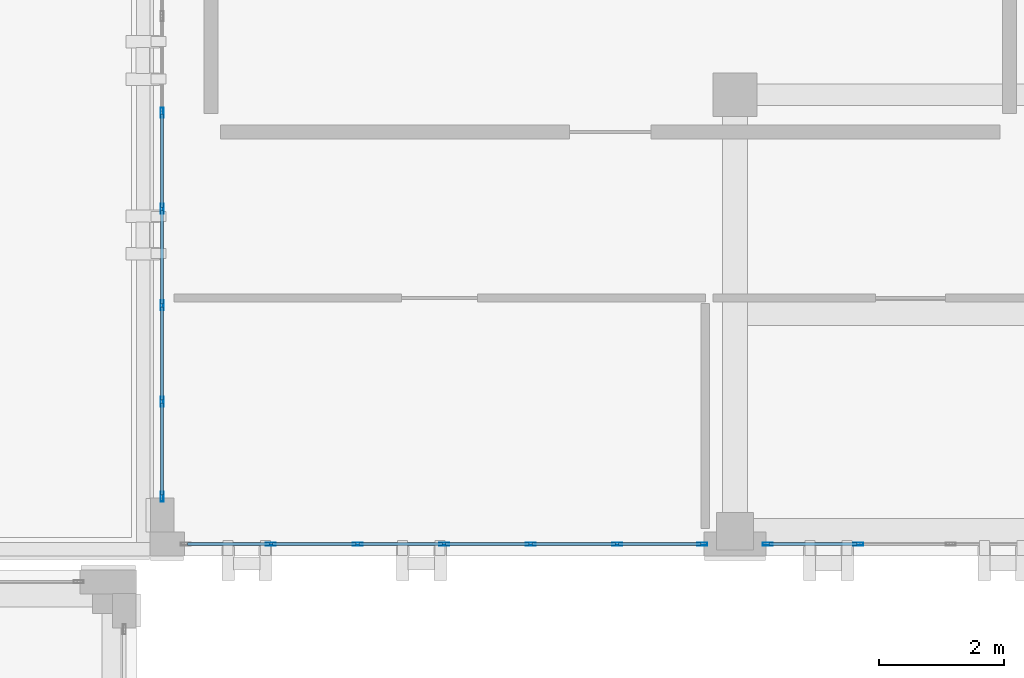
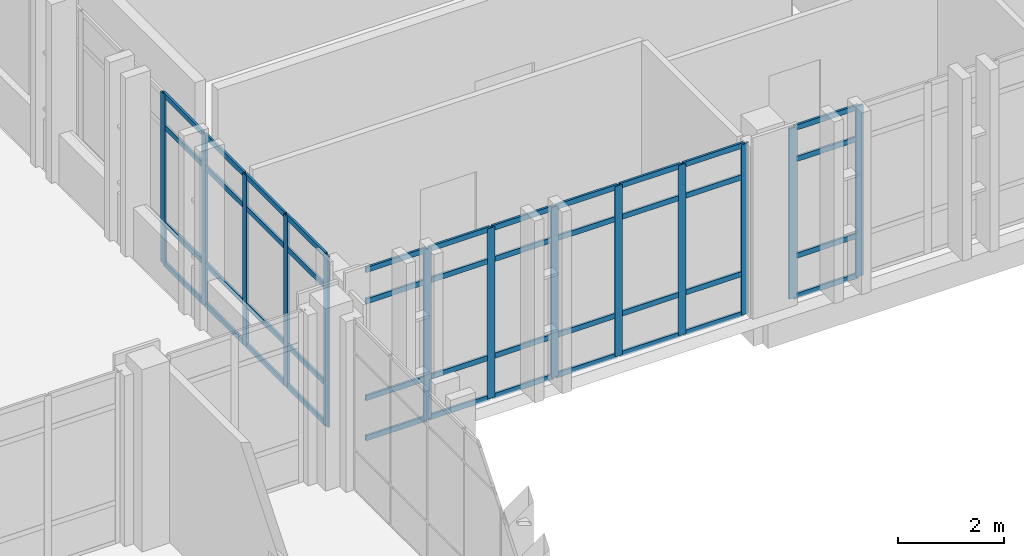
# One storey, part 39 of 90: 57 members, 3 elements without a shape of their own.
"""IFC4 building model written with IfcOpenShell, lengths in metres."""

from ifc_helpers import new_model, si_unit, direction, frame, origin, origin_2d, place, context, subcontext, project, spatial, hollow_rectangle, extrude, material, layer, layer_set, material_profile, profile_set, type_object, element, aggregate, save


model = new_model("IFC4")

# Units and contexts
model_context = context("Model", 3, precision=1e-05, world=origin(), true_north=direction((0.0, 1.0)))
body_context = subcontext(model_context, "Body", "Model", "MODEL_VIEW")
ifc_project = project(units=[si_unit("LENGTHUNIT", "METRE"), si_unit("AREAUNIT", "SQUARE_METRE"), si_unit("VOLUMEUNIT", "CUBIC_METRE"), si_unit("PLANEANGLEUNIT", "RADIAN"), si_unit("MASSUNIT", "GRAM", prefix="KILO")], contexts=[model_context])

# Site, building, storey
site_placement = place(None, origin())
site = spatial("IfcSite", under=ifc_project, at=site_placement, CompositionType="ELEMENT")
building_placement = place(site_placement, origin())
building = spatial("IfcBuilding", under=site, at=building_placement, Name="Qalavern Law Courts", CompositionType="ELEMENT")
storey_placement = place(building_placement, frame((0.0, 0.0, 22.800048828125)))
storey = spatial("IfcBuildingStorey", under=building, at=storey_placement, Name="L05", CompositionType="ELEMENT", Elevation=22.800048828125)

# Curtain wall, members
ifc_material_1 = material(Name="Anodised aluminium and insulated glazing", Category="aluminium")
ifc_layer = layer(ifc_material_1, 0.166015625)
ifc_layer_set = layer_set([ifc_layer], Name="Anodised aluminium and insulated glazing")
curtain_wall_type = type_object("IfcCurtainWallType", Name="ENV-CW-LIB", PredefinedType="USERDEFINED", material=ifc_layer_set)
curtain_wall_1_placement = place(storey_placement, origin())
curtain_wall_1 = element("IfcCurtainWall", 1, at=curtain_wall_1_placement, inside=storey, type_object=curtain_wall_type, Name="V5 unitised curtain wall L05 south 1", ObjectType="UNITISED CURTAIN WALL", PredefinedType="USERDEFINED")
ifc_material_2 = material(Name="Anodised aluminium", Category="aluminium")
ifc_material_profile_1 = material_profile(ifc_material_2, hollow_rectangle(XDim=0.048095703125, YDim=0.159912109375, WallThickness=0.00390625, at=origin_2d()), Name="ALU MULLION 48x160")
ifc_profile_set_1 = profile_set([ifc_material_profile_1], Name="Anodised aluminium")
member_type_1 = type_object("IfcMemberType", Name="ENV-CWM-48x160", PredefinedType="MULLION", material=ifc_profile_set_1)
member_1_placement = place(storey_placement, frame((20.958251953125, 96.392578125, 0.0), z_axis=(0.0, 0.0, 1.0), x_axis=(0.0, 1.0, 0.0)))
member_1 = element("IfcMember", 2, at=member_1_placement, type_object=member_type_1, Name="CW-05 mullion 2", PredefinedType="MULLION", context=body_context, shape_type="SweptSolid", body=[
    extrude(hollow_rectangle(XDim=0.048095703125, YDim=0.159912109375, WallThickness=0.00390625, at=origin_2d()), origin(), (0.0, 0.0, 1.0), 3.929931640625),
])
member_2_placement = place(storey_placement, frame((22.3466796875, 96.392578125, 0.0), z_axis=(0.0, 0.0, 1.0), x_axis=(0.0, 1.0, 0.0)))
member_2 = element("IfcMember", 3, at=member_2_placement, type_object=member_type_1, Name="CW-05 mullion 3", PredefinedType="MULLION", context=body_context, shape_type="SweptSolid", body=[
    extrude(hollow_rectangle(XDim=0.048095703125, YDim=0.159912109375, WallThickness=0.00390625, at=origin_2d()), origin(), (0.0, 0.0, 1.0), 3.929931640625),
])
member_3_placement = place(storey_placement, frame((23.735107421875, 96.392578125, 0.0), z_axis=(0.0, 0.0, 1.0), x_axis=(0.0, 1.0, 0.0)))
member_3 = element("IfcMember", 4, at=member_3_placement, type_object=member_type_1, Name="CW-05 mullion 4", PredefinedType="MULLION", context=body_context, shape_type="SweptSolid", body=[
    extrude(hollow_rectangle(XDim=0.048095703125, YDim=0.159912109375, WallThickness=0.00390625, at=origin_2d()), origin(), (0.0, 0.0, 1.0), 3.929931640625),
])
member_4_placement = place(storey_placement, frame((25.123291015625, 96.392578125, 0.0), z_axis=(0.0, 0.0, 1.0), x_axis=(0.0, 1.0, 0.0)))
member_4 = element("IfcMember", 5, at=member_4_placement, type_object=member_type_1, Name="CW-05 mullion 5", PredefinedType="MULLION", context=body_context, shape_type="SweptSolid", body=[
    extrude(hollow_rectangle(XDim=0.048095703125, YDim=0.159912109375, WallThickness=0.00390625, at=origin_2d()), origin(), (0.0, 0.0, 1.0), 3.929931640625),
])
member_5_placement = place(storey_placement, frame((26.51171875, 96.392578125, 0.0), z_axis=(0.0, 0.0, 1.0), x_axis=(0.0, 1.0, 0.0)))
member_5 = element("IfcMember", 6, at=member_5_placement, type_object=member_type_1, Name="CW-05 mullion 6", PredefinedType="MULLION", context=body_context, shape_type="SweptSolid", body=[
    extrude(hollow_rectangle(XDim=0.048095703125, YDim=0.159912109375, WallThickness=0.00390625, at=origin_2d()), origin(), (0.0, 0.0, 1.0), 3.929931640625),
])
member_6_placement = place(storey_placement, frame((27.8759765625, 96.392578125, 0.0), z_axis=(0.0, 0.0, 1.0), x_axis=(0.0, 1.0, 0.0)))
member_6 = element("IfcMember", 7, at=member_6_placement, type_object=member_type_1, Name="CW-05 mullion 7", PredefinedType="MULLION", context=body_context, shape_type="SweptSolid", body=[
    extrude(hollow_rectangle(XDim=0.048095703125, YDim=0.159912109375, WallThickness=0.00390625, at=origin_2d()), origin(), (0.0, 0.0, 1.0), 3.929931640625),
])

curtain_wall_2_placement = place(storey_placement, origin())
curtain_wall_2 = element("IfcCurtainWall", 8, at=curtain_wall_2_placement, inside=storey, type_object=curtain_wall_type, Name="V5 unitised curtain wall L05 south 2", ObjectType="UNITISED CURTAIN WALL", PredefinedType="USERDEFINED")
member_7_placement = place(storey_placement, frame((28.924072265625, 96.392578125, 0.0), z_axis=(0.0, 0.0, 1.0), x_axis=(0.0, 1.0, 0.0)))
member_7 = element("IfcMember", 9, at=member_7_placement, type_object=member_type_1, Name="CW-05 mullion 1", PredefinedType="MULLION", context=body_context, shape_type="SweptSolid", body=[
    extrude(hollow_rectangle(XDim=0.048095703125, YDim=0.159912109375, WallThickness=0.00390625, at=origin_2d()), origin(), (0.0, 0.0, 1.0), 3.929931640625),
])
member_8_placement = place(storey_placement, frame((30.3798828125, 96.392578125, 0.0), z_axis=(0.0, 0.0, 1.0), x_axis=(0.0, 1.0, 0.0)))
member_8 = element("IfcMember", 10, at=member_8_placement, type_object=member_type_1, Name="CW-05 mullion 2", PredefinedType="MULLION", context=body_context, shape_type="SweptSolid", body=[
    extrude(hollow_rectangle(XDim=0.048095703125, YDim=0.159912109375, WallThickness=0.00390625, at=origin_2d()), origin(), (0.0, 0.0, 1.0), 3.929931640625),
])

curtain_wall_3_placement = place(storey_placement, origin())
curtain_wall_3 = element("IfcCurtainWall", 11, at=curtain_wall_3_placement, inside=storey, type_object=curtain_wall_type, Name="V5 unitised curtain wall L05 west 1", ObjectType="UNITISED CURTAIN WALL", PredefinedType="USERDEFINED")
member_9_placement = place(storey_placement, frame((19.21240234375, 103.312744140625, 0.0), z_axis=(0.0, 0.0, 1.0), x_axis=(1.0, 0.0, 0.0)))
member_9 = element("IfcMember", 12, at=member_9_placement, type_object=member_type_1, Name="CW-05 mullion 4", PredefinedType="MULLION", context=body_context, shape_type="SweptSolid", body=[
    extrude(hollow_rectangle(XDim=0.048095703125, YDim=0.159912109375, WallThickness=0.00390625, at=origin_2d()), origin(), (0.0, 0.0, 1.0), 3.929931640625),
])
member_10_placement = place(storey_placement, frame((19.21240234375, 101.76708984375, 0.0), z_axis=(0.0, 0.0, 1.0), x_axis=(1.0, 0.0, 0.0)))
member_10 = element("IfcMember", 13, at=member_10_placement, type_object=member_type_1, Name="CW-05 mullion 5", PredefinedType="MULLION", context=body_context, shape_type="SweptSolid", body=[
    extrude(hollow_rectangle(XDim=0.048095703125, YDim=0.159912109375, WallThickness=0.00390625, at=origin_2d()), origin(), (0.0, 0.0, 1.0), 3.929931640625),
])
member_11_placement = place(storey_placement, frame((19.21240234375, 100.221435546875, 0.0), z_axis=(0.0, 0.0, 1.0), x_axis=(1.0, 0.0, 0.0)))
member_11 = element("IfcMember", 14, at=member_11_placement, type_object=member_type_1, Name="CW-05 mullion 6", PredefinedType="MULLION", context=body_context, shape_type="SweptSolid", body=[
    extrude(hollow_rectangle(XDim=0.048095703125, YDim=0.159912109375, WallThickness=0.00390625, at=origin_2d()), origin(), (0.0, 0.0, 1.0), 3.929931640625),
])
member_12_placement = place(storey_placement, frame((19.21240234375, 98.67578125, 0.0), z_axis=(0.0, 0.0, 1.0), x_axis=(1.0, 0.0, 0.0)))
member_12 = element("IfcMember", 15, at=member_12_placement, type_object=member_type_1, Name="CW-05 mullion 7", PredefinedType="MULLION", context=body_context, shape_type="SweptSolid", body=[
    extrude(hollow_rectangle(XDim=0.048095703125, YDim=0.159912109375, WallThickness=0.00390625, at=origin_2d()), origin(), (0.0, 0.0, 1.0), 3.929931640625),
])
member_13_placement = place(storey_placement, frame((19.21240234375, 97.154052734375, 0.0), z_axis=(0.0, 0.0, 1.0), x_axis=(1.0, 0.0, 0.0)))
member_13 = element("IfcMember", 16, at=member_13_placement, type_object=member_type_1, Name="CW-05 mullion 8", PredefinedType="MULLION", context=body_context, shape_type="SweptSolid", body=[
    extrude(hollow_rectangle(XDim=0.048095703125, YDim=0.159912109375, WallThickness=0.00390625, at=origin_2d()), origin(), (0.0, 0.0, 1.0), 3.929931640625),
])

# Member
ifc_material_profile_2 = material_profile(ifc_material_2, hollow_rectangle(XDim=0.048095703125, YDim=0.1201171875, WallThickness=0.00390625, at=origin_2d()), Name="ALU TRANSOM 48x120")
ifc_profile_set_2 = profile_set([ifc_material_profile_2], Name="Anodised aluminium")
member_type_2 = type_object("IfcMemberType", Name="ENV-CWT-48x120", PredefinedType="USERDEFINED", material=ifc_profile_set_2)
member_14_placement = place(storey_placement, frame((19.617919921875, 96.392578125, 0.02392578125), z_axis=(1.0, 0.0, 0.0), x_axis=(0.0, 1.0, 0.0)))
member_14 = element("IfcMember", 17, at=member_14_placement, type_object=member_type_2, Name="CW-05 transom 1.1", ObjectType="TRANSOM", PredefinedType="USERDEFINED", context=body_context, shape_type="SweptSolid", body=[
    extrude(hollow_rectangle(XDim=0.048095703125, YDim=0.1201171875, WallThickness=0.00390625, at=origin_2d()), origin(), (0.0, 0.0, 1.0), 1.31640625),
])

member_15_placement = place(storey_placement, frame((19.617919921875, 96.392578125, 0.949951171875), z_axis=(1.0, 0.0, 0.0), x_axis=(0.0, 1.0, 0.0)))
member_15 = element("IfcMember", 18, at=member_15_placement, type_object=member_type_2, Name="CW-05 transom 1.2", ObjectType="TRANSOM", PredefinedType="USERDEFINED", context=body_context, shape_type="SweptSolid", body=[
    extrude(hollow_rectangle(XDim=0.048095703125, YDim=0.1201171875, WallThickness=0.00390625, at=origin_2d()), origin(), (0.0, 0.0, 1.0), 1.31640625),
])

member_16_placement = place(storey_placement, frame((19.617919921875, 96.392578125, 3.179931640625), z_axis=(1.0, 0.0, 0.0), x_axis=(0.0, 1.0, 0.0)))
member_16 = element("IfcMember", 19, at=member_16_placement, type_object=member_type_2, Name="CW-05 transom 1.3", ObjectType="TRANSOM", PredefinedType="USERDEFINED", context=body_context, shape_type="SweptSolid", body=[
    extrude(hollow_rectangle(XDim=0.048095703125, YDim=0.1201171875, WallThickness=0.00390625, at=origin_2d()), origin(), (0.0, 0.0, 1.0), 1.31640625),
])

member_17_placement = place(storey_placement, frame((19.617919921875, 96.392578125, 3.906005859375), z_axis=(1.0, 0.0, 0.0), x_axis=(0.0, 1.0, 0.0)))
member_17 = element("IfcMember", 20, at=member_17_placement, type_object=member_type_2, Name="CW-05 transom 1.4", ObjectType="TRANSOM", PredefinedType="USERDEFINED", context=body_context, shape_type="SweptSolid", body=[
    extrude(hollow_rectangle(XDim=0.048095703125, YDim=0.1201171875, WallThickness=0.00390625, at=origin_2d()), origin(), (0.0, 0.0, 1.0), 1.31640625),
])

member_18_placement = place(storey_placement, frame((20.982421875, 96.392578125, 0.02392578125), z_axis=(1.0, 0.0, 0.0), x_axis=(0.0, 1.0, 0.0)))
member_18 = element("IfcMember", 21, at=member_18_placement, type_object=member_type_2, Name="CW-05 transom 2.1", ObjectType="TRANSOM", PredefinedType="USERDEFINED", context=body_context, shape_type="SweptSolid", body=[
    extrude(hollow_rectangle(XDim=0.048095703125, YDim=0.1201171875, WallThickness=0.00390625, at=origin_2d()), origin(), (0.0, 0.0, 1.0), 1.34033203125),
])

member_19_placement = place(storey_placement, frame((20.982421875, 96.392578125, 0.949951171875), z_axis=(1.0, 0.0, 0.0), x_axis=(0.0, 1.0, 0.0)))
member_19 = element("IfcMember", 22, at=member_19_placement, type_object=member_type_2, Name="CW-05 transom 2.2", ObjectType="TRANSOM", PredefinedType="USERDEFINED", context=body_context, shape_type="SweptSolid", body=[
    extrude(hollow_rectangle(XDim=0.048095703125, YDim=0.1201171875, WallThickness=0.00390625, at=origin_2d()), origin(), (0.0, 0.0, 1.0), 1.34033203125),
])

member_20_placement = place(storey_placement, frame((20.982421875, 96.392578125, 3.179931640625), z_axis=(1.0, 0.0, 0.0), x_axis=(0.0, 1.0, 0.0)))
member_20 = element("IfcMember", 23, at=member_20_placement, type_object=member_type_2, Name="CW-05 transom 2.3", ObjectType="TRANSOM", PredefinedType="USERDEFINED", context=body_context, shape_type="SweptSolid", body=[
    extrude(hollow_rectangle(XDim=0.048095703125, YDim=0.1201171875, WallThickness=0.00390625, at=origin_2d()), origin(), (0.0, 0.0, 1.0), 1.34033203125),
])

member_21_placement = place(storey_placement, frame((20.982421875, 96.392578125, 3.906005859375), z_axis=(1.0, 0.0, 0.0), x_axis=(0.0, 1.0, 0.0)))
member_21 = element("IfcMember", 24, at=member_21_placement, type_object=member_type_2, Name="CW-05 transom 2.4", ObjectType="TRANSOM", PredefinedType="USERDEFINED", context=body_context, shape_type="SweptSolid", body=[
    extrude(hollow_rectangle(XDim=0.048095703125, YDim=0.1201171875, WallThickness=0.00390625, at=origin_2d()), origin(), (0.0, 0.0, 1.0), 1.34033203125),
])

member_22_placement = place(storey_placement, frame((22.37060546875, 96.392578125, 0.02392578125), z_axis=(1.0, 0.0, 0.0), x_axis=(0.0, 1.0, 0.0)))
member_22 = element("IfcMember", 25, at=member_22_placement, type_object=member_type_2, Name="CW-05 transom 3.1", ObjectType="TRANSOM", PredefinedType="USERDEFINED", context=body_context, shape_type="SweptSolid", body=[
    extrude(hollow_rectangle(XDim=0.048095703125, YDim=0.1201171875, WallThickness=0.00390625, at=origin_2d()), origin(), (0.0, 0.0, 1.0), 1.34033203125),
])

member_23_placement = place(storey_placement, frame((22.37060546875, 96.392578125, 0.949951171875), z_axis=(1.0, 0.0, 0.0), x_axis=(0.0, 1.0, 0.0)))
member_23 = element("IfcMember", 26, at=member_23_placement, type_object=member_type_2, Name="CW-05 transom 3.2", ObjectType="TRANSOM", PredefinedType="USERDEFINED", context=body_context, shape_type="SweptSolid", body=[
    extrude(hollow_rectangle(XDim=0.048095703125, YDim=0.1201171875, WallThickness=0.00390625, at=origin_2d()), origin(), (0.0, 0.0, 1.0), 1.34033203125),
])

member_24_placement = place(storey_placement, frame((22.37060546875, 96.392578125, 3.179931640625), z_axis=(1.0, 0.0, 0.0), x_axis=(0.0, 1.0, 0.0)))
member_24 = element("IfcMember", 27, at=member_24_placement, type_object=member_type_2, Name="CW-05 transom 3.3", ObjectType="TRANSOM", PredefinedType="USERDEFINED", context=body_context, shape_type="SweptSolid", body=[
    extrude(hollow_rectangle(XDim=0.048095703125, YDim=0.1201171875, WallThickness=0.00390625, at=origin_2d()), origin(), (0.0, 0.0, 1.0), 1.34033203125),
])

member_25_placement = place(storey_placement, frame((22.37060546875, 96.392578125, 3.906005859375), z_axis=(1.0, 0.0, 0.0), x_axis=(0.0, 1.0, 0.0)))
member_25 = element("IfcMember", 28, at=member_25_placement, type_object=member_type_2, Name="CW-05 transom 3.4", ObjectType="TRANSOM", PredefinedType="USERDEFINED", context=body_context, shape_type="SweptSolid", body=[
    extrude(hollow_rectangle(XDim=0.048095703125, YDim=0.1201171875, WallThickness=0.00390625, at=origin_2d()), origin(), (0.0, 0.0, 1.0), 1.34033203125),
])

member_26_placement = place(storey_placement, frame((23.759033203125, 96.392578125, 0.02392578125), z_axis=(1.0, 0.0, 0.0), x_axis=(0.0, 1.0, 0.0)))
member_26 = element("IfcMember", 29, at=member_26_placement, type_object=member_type_2, Name="CW-05 transom 4.1", ObjectType="TRANSOM", PredefinedType="USERDEFINED", context=body_context, shape_type="SweptSolid", body=[
    extrude(hollow_rectangle(XDim=0.048095703125, YDim=0.1201171875, WallThickness=0.00390625, at=origin_2d()), origin(), (0.0, 0.0, 1.0), 1.34033203125),
])

member_27_placement = place(storey_placement, frame((23.759033203125, 96.392578125, 0.949951171875), z_axis=(1.0, 0.0, 0.0), x_axis=(0.0, 1.0, 0.0)))
member_27 = element("IfcMember", 30, at=member_27_placement, type_object=member_type_2, Name="CW-05 transom 4.2", ObjectType="TRANSOM", PredefinedType="USERDEFINED", context=body_context, shape_type="SweptSolid", body=[
    extrude(hollow_rectangle(XDim=0.048095703125, YDim=0.1201171875, WallThickness=0.00390625, at=origin_2d()), origin(), (0.0, 0.0, 1.0), 1.34033203125),
])

member_28_placement = place(storey_placement, frame((23.759033203125, 96.392578125, 3.179931640625), z_axis=(1.0, 0.0, 0.0), x_axis=(0.0, 1.0, 0.0)))
member_28 = element("IfcMember", 31, at=member_28_placement, type_object=member_type_2, Name="CW-05 transom 4.3", ObjectType="TRANSOM", PredefinedType="USERDEFINED", context=body_context, shape_type="SweptSolid", body=[
    extrude(hollow_rectangle(XDim=0.048095703125, YDim=0.1201171875, WallThickness=0.00390625, at=origin_2d()), origin(), (0.0, 0.0, 1.0), 1.34033203125),
])

member_29_placement = place(storey_placement, frame((23.759033203125, 96.392578125, 3.906005859375), z_axis=(1.0, 0.0, 0.0), x_axis=(0.0, 1.0, 0.0)))
member_29 = element("IfcMember", 32, at=member_29_placement, type_object=member_type_2, Name="CW-05 transom 4.4", ObjectType="TRANSOM", PredefinedType="USERDEFINED", context=body_context, shape_type="SweptSolid", body=[
    extrude(hollow_rectangle(XDim=0.048095703125, YDim=0.1201171875, WallThickness=0.00390625, at=origin_2d()), origin(), (0.0, 0.0, 1.0), 1.34033203125),
])

member_30_placement = place(storey_placement, frame((25.147216796875, 96.392578125, 0.02392578125), z_axis=(1.0, 0.0, 0.0), x_axis=(0.0, 1.0, 0.0)))
member_30 = element("IfcMember", 33, at=member_30_placement, type_object=member_type_2, Name="CW-05 transom 5.1", ObjectType="TRANSOM", PredefinedType="USERDEFINED", context=body_context, shape_type="SweptSolid", body=[
    extrude(hollow_rectangle(XDim=0.048095703125, YDim=0.1201171875, WallThickness=0.00390625, at=origin_2d()), origin(), (0.0, 0.0, 1.0), 1.34033203125),
])

member_31_placement = place(storey_placement, frame((25.147216796875, 96.392578125, 0.949951171875), z_axis=(1.0, 0.0, 0.0), x_axis=(0.0, 1.0, 0.0)))
member_31 = element("IfcMember", 34, at=member_31_placement, type_object=member_type_2, Name="CW-05 transom 5.2", ObjectType="TRANSOM", PredefinedType="USERDEFINED", context=body_context, shape_type="SweptSolid", body=[
    extrude(hollow_rectangle(XDim=0.048095703125, YDim=0.1201171875, WallThickness=0.00390625, at=origin_2d()), origin(), (0.0, 0.0, 1.0), 1.34033203125),
])

member_32_placement = place(storey_placement, frame((25.147216796875, 96.392578125, 3.179931640625), z_axis=(1.0, 0.0, 0.0), x_axis=(0.0, 1.0, 0.0)))
member_32 = element("IfcMember", 35, at=member_32_placement, type_object=member_type_2, Name="CW-05 transom 5.3", ObjectType="TRANSOM", PredefinedType="USERDEFINED", context=body_context, shape_type="SweptSolid", body=[
    extrude(hollow_rectangle(XDim=0.048095703125, YDim=0.1201171875, WallThickness=0.00390625, at=origin_2d()), origin(), (0.0, 0.0, 1.0), 1.34033203125),
])

member_33_placement = place(storey_placement, frame((25.147216796875, 96.392578125, 3.906005859375), z_axis=(1.0, 0.0, 0.0), x_axis=(0.0, 1.0, 0.0)))
member_33 = element("IfcMember", 36, at=member_33_placement, type_object=member_type_2, Name="CW-05 transom 5.4", ObjectType="TRANSOM", PredefinedType="USERDEFINED", context=body_context, shape_type="SweptSolid", body=[
    extrude(hollow_rectangle(XDim=0.048095703125, YDim=0.1201171875, WallThickness=0.00390625, at=origin_2d()), origin(), (0.0, 0.0, 1.0), 1.34033203125),
])

member_34_placement = place(storey_placement, frame((26.53564453125, 96.392578125, 0.02392578125), z_axis=(1.0, 0.0, 0.0), x_axis=(0.0, 1.0, 0.0)))
member_34 = element("IfcMember", 37, at=member_34_placement, type_object=member_type_2, Name="CW-05 transom 6.1", ObjectType="TRANSOM", PredefinedType="USERDEFINED", context=body_context, shape_type="SweptSolid", body=[
    extrude(hollow_rectangle(XDim=0.048095703125, YDim=0.1201171875, WallThickness=0.00390625, at=origin_2d()), origin(), (0.0, 0.0, 1.0), 1.31640625),
])

member_35_placement = place(storey_placement, frame((26.53564453125, 96.392578125, 0.949951171875), z_axis=(1.0, 0.0, 0.0), x_axis=(0.0, 1.0, 0.0)))
member_35 = element("IfcMember", 38, at=member_35_placement, type_object=member_type_2, Name="CW-05 transom 6.2", ObjectType="TRANSOM", PredefinedType="USERDEFINED", context=body_context, shape_type="SweptSolid", body=[
    extrude(hollow_rectangle(XDim=0.048095703125, YDim=0.1201171875, WallThickness=0.00390625, at=origin_2d()), origin(), (0.0, 0.0, 1.0), 1.31640625),
])

member_36_placement = place(storey_placement, frame((26.53564453125, 96.392578125, 3.179931640625), z_axis=(1.0, 0.0, 0.0), x_axis=(0.0, 1.0, 0.0)))
member_36 = element("IfcMember", 39, at=member_36_placement, type_object=member_type_2, Name="CW-05 transom 6.3", ObjectType="TRANSOM", PredefinedType="USERDEFINED", context=body_context, shape_type="SweptSolid", body=[
    extrude(hollow_rectangle(XDim=0.048095703125, YDim=0.1201171875, WallThickness=0.00390625, at=origin_2d()), origin(), (0.0, 0.0, 1.0), 1.31640625),
])

member_37_placement = place(storey_placement, frame((26.53564453125, 96.392578125, 3.906005859375), z_axis=(1.0, 0.0, 0.0), x_axis=(0.0, 1.0, 0.0)))
member_37 = element("IfcMember", 40, at=member_37_placement, type_object=member_type_2, Name="CW-05 transom 6.4", ObjectType="TRANSOM", PredefinedType="USERDEFINED", context=body_context, shape_type="SweptSolid", body=[
    extrude(hollow_rectangle(XDim=0.048095703125, YDim=0.1201171875, WallThickness=0.00390625, at=origin_2d()), origin(), (0.0, 0.0, 1.0), 1.31640625),
])

aggregate(curtain_wall_1, [member_1, member_2, member_3, member_4, member_5, member_6, member_14, member_15, member_16, member_17, member_18, member_19, member_20, member_21, member_22, member_23, member_24, member_25, member_26, member_27, member_28, member_29, member_30, member_31, member_32, member_33, member_34, member_35, member_36, member_37])

member_38_placement = place(storey_placement, frame((28.947998046875, 96.392578125, 0.02392578125), z_axis=(1.0, 0.0, 0.0), x_axis=(0.0, 1.0, 0.0)))
member_38 = element("IfcMember", 41, at=member_38_placement, type_object=member_type_2, Name="CW-05 transom 1.1", ObjectType="TRANSOM", PredefinedType="USERDEFINED", context=body_context, shape_type="SweptSolid", body=[
    extrude(hollow_rectangle(XDim=0.048095703125, YDim=0.1201171875, WallThickness=0.00390625, at=origin_2d()), origin(), (0.0, 0.0, 1.0), 1.407958984375),
])

member_39_placement = place(storey_placement, frame((28.947998046875, 96.392578125, 0.949951171875), z_axis=(1.0, 0.0, 0.0), x_axis=(0.0, 1.0, 0.0)))
member_39 = element("IfcMember", 42, at=member_39_placement, type_object=member_type_2, Name="CW-05 transom 1.2", ObjectType="TRANSOM", PredefinedType="USERDEFINED", context=body_context, shape_type="SweptSolid", body=[
    extrude(hollow_rectangle(XDim=0.048095703125, YDim=0.1201171875, WallThickness=0.00390625, at=origin_2d()), origin(), (0.0, 0.0, 1.0), 1.407958984375),
])

member_40_placement = place(storey_placement, frame((28.947998046875, 96.392578125, 3.179931640625), z_axis=(1.0, 0.0, 0.0), x_axis=(0.0, 1.0, 0.0)))
member_40 = element("IfcMember", 43, at=member_40_placement, type_object=member_type_2, Name="CW-05 transom 1.3", ObjectType="TRANSOM", PredefinedType="USERDEFINED", context=body_context, shape_type="SweptSolid", body=[
    extrude(hollow_rectangle(XDim=0.048095703125, YDim=0.1201171875, WallThickness=0.00390625, at=origin_2d()), origin(), (0.0, 0.0, 1.0), 1.407958984375),
])

member_41_placement = place(storey_placement, frame((28.947998046875, 96.392578125, 3.906005859375), z_axis=(1.0, 0.0, 0.0), x_axis=(0.0, 1.0, 0.0)))
member_41 = element("IfcMember", 44, at=member_41_placement, type_object=member_type_2, Name="CW-05 transom 1.4", ObjectType="TRANSOM", PredefinedType="USERDEFINED", context=body_context, shape_type="SweptSolid", body=[
    extrude(hollow_rectangle(XDim=0.048095703125, YDim=0.1201171875, WallThickness=0.00390625, at=origin_2d()), origin(), (0.0, 0.0, 1.0), 1.407958984375),
])

aggregate(curtain_wall_2, [member_7, member_8, member_38, member_39, member_40, member_41])

member_42_placement = place(storey_placement, frame((19.21240234375, 103.288818359375, 0.02392578125), z_axis=(0.0, -1.0, 0.0), x_axis=(1.0, 0.0, 0.0)))
member_42 = element("IfcMember", 45, at=member_42_placement, type_object=member_type_2, Name="CW-05 transom 4.1", ObjectType="TRANSOM", PredefinedType="USERDEFINED", context=body_context, shape_type="SweptSolid", body=[
    extrude(hollow_rectangle(XDim=0.048095703125, YDim=0.1201171875, WallThickness=0.00390625, at=origin_2d()), origin(), (0.0, 0.0, 1.0), 1.49755859375),
])

member_43_placement = place(storey_placement, frame((19.21240234375, 103.288818359375, 0.949951171875), z_axis=(0.0, -1.0, 0.0), x_axis=(1.0, 0.0, 0.0)))
member_43 = element("IfcMember", 46, at=member_43_placement, type_object=member_type_2, Name="CW-05 transom 4.2", ObjectType="TRANSOM", PredefinedType="USERDEFINED", context=body_context, shape_type="SweptSolid", body=[
    extrude(hollow_rectangle(XDim=0.048095703125, YDim=0.1201171875, WallThickness=0.00390625, at=origin_2d()), origin(), (0.0, 0.0, 1.0), 1.49755859375),
])

member_44_placement = place(storey_placement, frame((19.21240234375, 103.288818359375, 3.179931640625), z_axis=(0.0, -1.0, 0.0), x_axis=(1.0, 0.0, 0.0)))
member_44 = element("IfcMember", 47, at=member_44_placement, type_object=member_type_2, Name="CW-05 transom 4.3", ObjectType="TRANSOM", PredefinedType="USERDEFINED", context=body_context, shape_type="SweptSolid", body=[
    extrude(hollow_rectangle(XDim=0.048095703125, YDim=0.1201171875, WallThickness=0.00390625, at=origin_2d()), origin(), (0.0, 0.0, 1.0), 1.49755859375),
])

member_45_placement = place(storey_placement, frame((19.21240234375, 103.288818359375, 3.906005859375), z_axis=(0.0, -1.0, 0.0), x_axis=(1.0, 0.0, 0.0)))
member_45 = element("IfcMember", 48, at=member_45_placement, type_object=member_type_2, Name="CW-05 transom 4.4", ObjectType="TRANSOM", PredefinedType="USERDEFINED", context=body_context, shape_type="SweptSolid", body=[
    extrude(hollow_rectangle(XDim=0.048095703125, YDim=0.1201171875, WallThickness=0.00390625, at=origin_2d()), origin(), (0.0, 0.0, 1.0), 1.49755859375),
])

member_46_placement = place(storey_placement, frame((19.21240234375, 101.7431640625, 0.02392578125), z_axis=(0.0, -1.0, 0.0), x_axis=(1.0, 0.0, 0.0)))
member_46 = element("IfcMember", 49, at=member_46_placement, type_object=member_type_2, Name="CW-05 transom 5.1", ObjectType="TRANSOM", PredefinedType="USERDEFINED", context=body_context, shape_type="SweptSolid", body=[
    extrude(hollow_rectangle(XDim=0.048095703125, YDim=0.1201171875, WallThickness=0.00390625, at=origin_2d()), origin(), (0.0, 0.0, 1.0), 1.497802734375),
])

member_47_placement = place(storey_placement, frame((19.21240234375, 101.7431640625, 0.949951171875), z_axis=(0.0, -1.0, 0.0), x_axis=(1.0, 0.0, 0.0)))
member_47 = element("IfcMember", 50, at=member_47_placement, type_object=member_type_2, Name="CW-05 transom 5.2", ObjectType="TRANSOM", PredefinedType="USERDEFINED", context=body_context, shape_type="SweptSolid", body=[
    extrude(hollow_rectangle(XDim=0.048095703125, YDim=0.1201171875, WallThickness=0.00390625, at=origin_2d()), origin(), (0.0, 0.0, 1.0), 1.497802734375),
])

member_48_placement = place(storey_placement, frame((19.21240234375, 101.7431640625, 3.179931640625), z_axis=(0.0, -1.0, 0.0), x_axis=(1.0, 0.0, 0.0)))
member_48 = element("IfcMember", 51, at=member_48_placement, type_object=member_type_2, Name="CW-05 transom 5.3", ObjectType="TRANSOM", PredefinedType="USERDEFINED", context=body_context, shape_type="SweptSolid", body=[
    extrude(hollow_rectangle(XDim=0.048095703125, YDim=0.1201171875, WallThickness=0.00390625, at=origin_2d()), origin(), (0.0, 0.0, 1.0), 1.497802734375),
])

member_49_placement = place(storey_placement, frame((19.21240234375, 101.7431640625, 3.906005859375), z_axis=(0.0, -1.0, 0.0), x_axis=(1.0, 0.0, 0.0)))
member_49 = element("IfcMember", 52, at=member_49_placement, type_object=member_type_2, Name="CW-05 transom 5.4", ObjectType="TRANSOM", PredefinedType="USERDEFINED", context=body_context, shape_type="SweptSolid", body=[
    extrude(hollow_rectangle(XDim=0.048095703125, YDim=0.1201171875, WallThickness=0.00390625, at=origin_2d()), origin(), (0.0, 0.0, 1.0), 1.497802734375),
])

member_50_placement = place(storey_placement, frame((19.21240234375, 100.197509765625, 0.02392578125), z_axis=(0.0, -1.0, 0.0), x_axis=(1.0, 0.0, 0.0)))
member_50 = element("IfcMember", 53, at=member_50_placement, type_object=member_type_2, Name="CW-05 transom 6.1", ObjectType="TRANSOM", PredefinedType="USERDEFINED", context=body_context, shape_type="SweptSolid", body=[
    extrude(hollow_rectangle(XDim=0.048095703125, YDim=0.1201171875, WallThickness=0.00390625, at=origin_2d()), origin(), (0.0, 0.0, 1.0), 1.497802734375),
])

member_51_placement = place(storey_placement, frame((19.21240234375, 100.197509765625, 0.949951171875), z_axis=(0.0, -1.0, 0.0), x_axis=(1.0, 0.0, 0.0)))
member_51 = element("IfcMember", 54, at=member_51_placement, type_object=member_type_2, Name="CW-05 transom 6.2", ObjectType="TRANSOM", PredefinedType="USERDEFINED", context=body_context, shape_type="SweptSolid", body=[
    extrude(hollow_rectangle(XDim=0.048095703125, YDim=0.1201171875, WallThickness=0.00390625, at=origin_2d()), origin(), (0.0, 0.0, 1.0), 1.497802734375),
])

member_52_placement = place(storey_placement, frame((19.21240234375, 100.197509765625, 3.179931640625), z_axis=(0.0, -1.0, 0.0), x_axis=(1.0, 0.0, 0.0)))
member_52 = element("IfcMember", 55, at=member_52_placement, type_object=member_type_2, Name="CW-05 transom 6.3", ObjectType="TRANSOM", PredefinedType="USERDEFINED", context=body_context, shape_type="SweptSolid", body=[
    extrude(hollow_rectangle(XDim=0.048095703125, YDim=0.1201171875, WallThickness=0.00390625, at=origin_2d()), origin(), (0.0, 0.0, 1.0), 1.497802734375),
])

member_53_placement = place(storey_placement, frame((19.21240234375, 100.197509765625, 3.906005859375), z_axis=(0.0, -1.0, 0.0), x_axis=(1.0, 0.0, 0.0)))
member_53 = element("IfcMember", 56, at=member_53_placement, type_object=member_type_2, Name="CW-05 transom 6.4", ObjectType="TRANSOM", PredefinedType="USERDEFINED", context=body_context, shape_type="SweptSolid", body=[
    extrude(hollow_rectangle(XDim=0.048095703125, YDim=0.1201171875, WallThickness=0.00390625, at=origin_2d()), origin(), (0.0, 0.0, 1.0), 1.497802734375),
])

member_54_placement = place(storey_placement, frame((19.21240234375, 98.651611328125, 0.02392578125), z_axis=(0.0, -1.0, 0.0), x_axis=(1.0, 0.0, 0.0)))
member_54 = element("IfcMember", 57, at=member_54_placement, type_object=member_type_2, Name="CW-05 transom 7.1", ObjectType="TRANSOM", PredefinedType="USERDEFINED", context=body_context, shape_type="SweptSolid", body=[
    extrude(hollow_rectangle(XDim=0.048095703125, YDim=0.1201171875, WallThickness=0.00390625, at=origin_2d()), origin(), (0.0, 0.0, 1.0), 1.4736328125),
])

member_55_placement = place(storey_placement, frame((19.21240234375, 98.651611328125, 0.949951171875), z_axis=(0.0, -1.0, 0.0), x_axis=(1.0, 0.0, 0.0)))
member_55 = element("IfcMember", 58, at=member_55_placement, type_object=member_type_2, Name="CW-05 transom 7.2", ObjectType="TRANSOM", PredefinedType="USERDEFINED", context=body_context, shape_type="SweptSolid", body=[
    extrude(hollow_rectangle(XDim=0.048095703125, YDim=0.1201171875, WallThickness=0.00390625, at=origin_2d()), origin(), (0.0, 0.0, 1.0), 1.4736328125),
])

member_56_placement = place(storey_placement, frame((19.21240234375, 98.651611328125, 3.179931640625), z_axis=(0.0, -1.0, 0.0), x_axis=(1.0, 0.0, 0.0)))
member_56 = element("IfcMember", 59, at=member_56_placement, type_object=member_type_2, Name="CW-05 transom 7.3", ObjectType="TRANSOM", PredefinedType="USERDEFINED", context=body_context, shape_type="SweptSolid", body=[
    extrude(hollow_rectangle(XDim=0.048095703125, YDim=0.1201171875, WallThickness=0.00390625, at=origin_2d()), origin(), (0.0, 0.0, 1.0), 1.4736328125),
])

member_57_placement = place(storey_placement, frame((19.21240234375, 98.651611328125, 3.906005859375), z_axis=(0.0, -1.0, 0.0), x_axis=(1.0, 0.0, 0.0)))
member_57 = element("IfcMember", 60, at=member_57_placement, type_object=member_type_2, Name="CW-05 transom 7.4", ObjectType="TRANSOM", PredefinedType="USERDEFINED", context=body_context, shape_type="SweptSolid", body=[
    extrude(hollow_rectangle(XDim=0.048095703125, YDim=0.1201171875, WallThickness=0.00390625, at=origin_2d()), origin(), (0.0, 0.0, 1.0), 1.4736328125),
])

aggregate(curtain_wall_3, [member_9, member_10, member_11, member_12, member_13, member_42, member_43, member_44, member_45, member_46, member_47, member_48, member_49, member_50, member_51, member_52, member_53, member_54, member_55, member_56, member_57])

save(model, "model.ifc")
